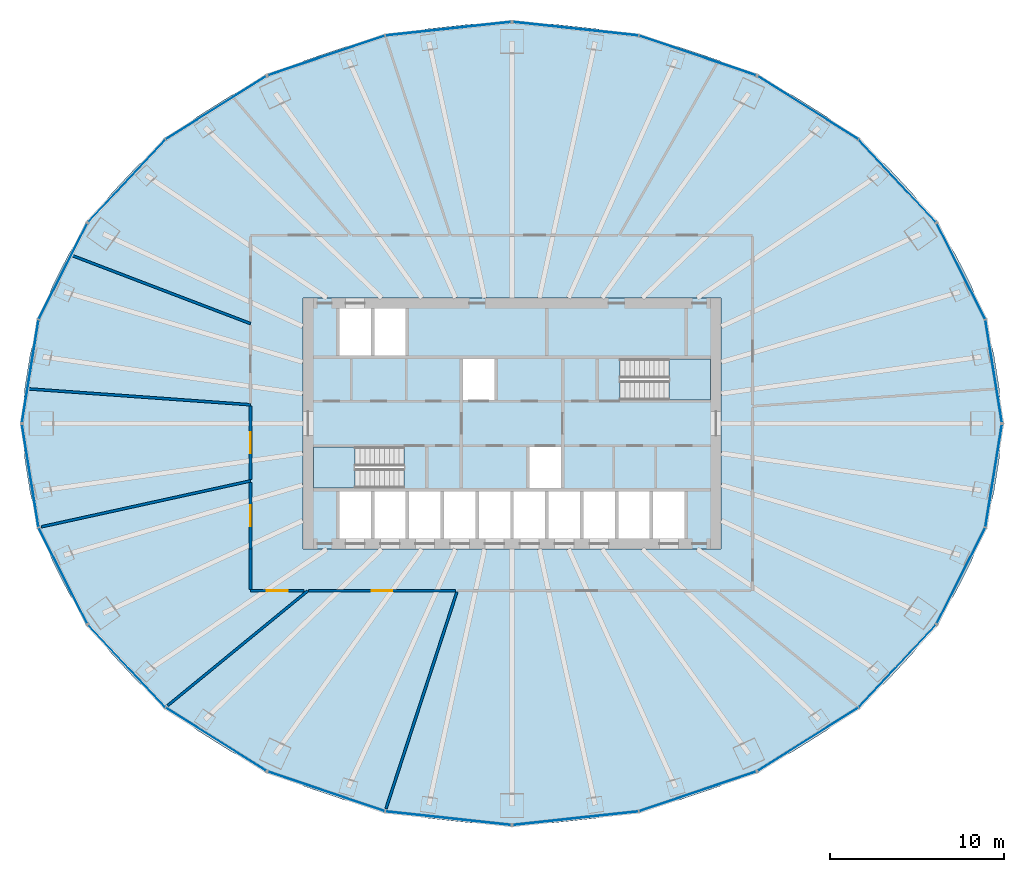
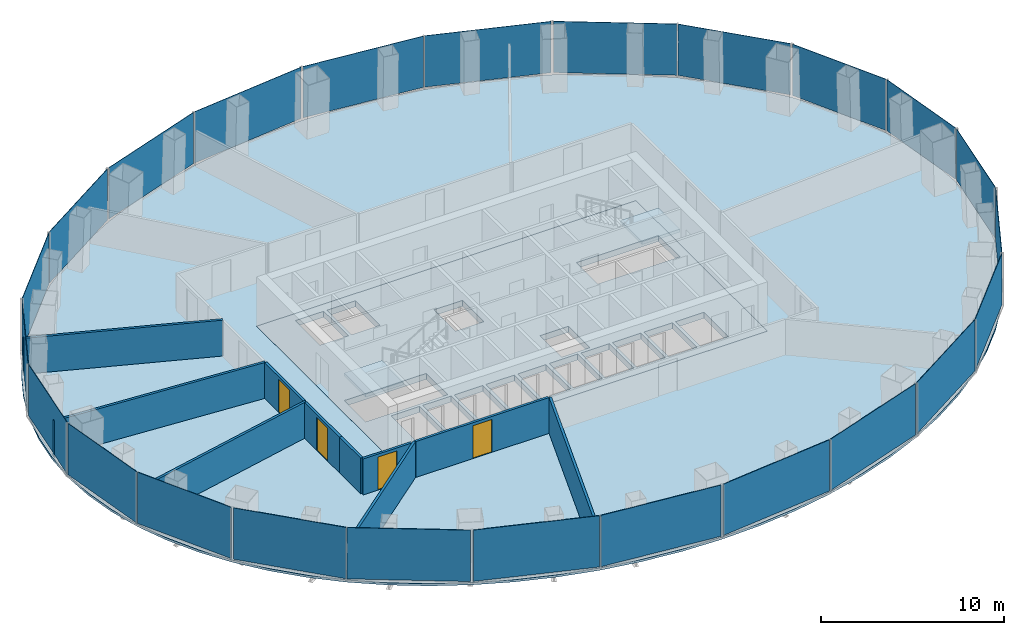
# One storey, part 7 of 11: 24 plates, 10 walls, 4 doors, 4 slabs, 4 openings, 14 elements without a shape of their own.
"""IFC4 building model written with IfcOpenShell, lengths in metres."""

from ifc_helpers import new_model, si_unit, direction, frame, frame_2d, origin, origin_2d, place, context, subcontext, project, spatial, polyline, rectangle, outline, extrude, material, layer, layer_set, type_object, element, fill, aggregate, save


model = new_model("IFC4")

# Units and contexts
model_context = context("Model", 3, precision=1e-05, world=origin(), true_north=direction((0.0, 1.0)))
body_context = subcontext(model_context, "Body", "Model", "MODEL_VIEW")
ifc_project = project(units=[si_unit("LENGTHUNIT", "METRE"), si_unit("AREAUNIT", "SQUARE_METRE"), si_unit("VOLUMEUNIT", "CUBIC_METRE"), si_unit("PLANEANGLEUNIT", "RADIAN"), si_unit("MASSUNIT", "GRAM", prefix="KILO")], contexts=[model_context])

# Site, building, storey
site_placement = place(None, origin())
site = spatial("IfcSite", under=ifc_project, at=site_placement, CompositionType="ELEMENT")
building_placement = place(site_placement, origin())
building = spatial("IfcBuilding", under=site, at=building_placement, Name="Siaravel Broadcast Tower", CompositionType="ELEMENT")
storey_placement = place(building_placement, frame((0.0, 0.0, 40.800048828125)))
storey = spatial("IfcBuildingStorey", under=building, at=storey_placement, Name="L08", CompositionType="ELEMENT", Elevation=40.800048828125)

# Curtain wall, plates
ifc_material_1 = material(Name="Aluminium 6063-T6", Category="aluminium")
ifc_layer_1 = layer(ifc_material_1, 0.219970703125)
ifc_layer_set_1 = layer_set([ifc_layer_1], Name="Aluminium 6063-T6")
curtain_wall_type = type_object("IfcCurtainWallType", Name="Unitised curtain wall, zone 1", PredefinedType="NOTDEFINED", material=ifc_layer_set_1)
curtain_wall_1_placement = place(storey_placement, origin())
curtain_wall_1 = element("IfcCurtainWall", 1, at=curtain_wall_1_placement, inside=storey, type_object=curtain_wall_type, Name="L08 Unitised curtain wall, zone 1 01", PredefinedType="NOTDEFINED")
ifc_material_2 = material(Name="Tinted laminated glass", Category="glass")
ifc_layer_2 = layer(ifc_material_2, 0.031982421875)
ifc_layer_set_2 = layer_set([ifc_layer_2], Name="Tinted laminated glass")
plate_type = type_object("IfcPlateType", Name="CW-Z1 glass panel", PredefinedType="CURTAIN_PANEL", material=ifc_layer_set_2)
plate_1_placement = place(storey_placement, frame((27.6337890625, 3.0, 0.1201171875), z_axis=(0.0, 0.0, 1.0), x_axis=(-0.158685802, 0.987329133, 0.0)))
plate_1 = element("IfcPlate", 2, at=plate_1_placement, type_object=plate_type, Name="CW-Z1 glass panel", PredefinedType="CURTAIN_PANEL", context=body_context, shape_type="SweptSolid", body=[
    extrude(rectangle(XDim=5.937255859375, YDim=0.031982421875, at=origin_2d()), origin(), (0.0, 0.0, 1.0), 3.429931640625),
])
plate_2_placement = place(storey_placement, frame((25.760009765625, 8.72900390625, 0.1201171875), z_axis=(0.0, 0.0, 1.0), x_axis=(-0.451261399, 0.892391814, 0.0)))
plate_2 = element("IfcPlate", 3, at=plate_2_placement, type_object=plate_type, Name="CW-Z1 glass panel", PredefinedType="CURTAIN_PANEL", context=body_context, shape_type="SweptSolid", body=[
    extrude(rectangle(XDim=6.123046875, YDim=0.031982421875, at=origin_2d()), origin(), (0.0, 0.0, 1.0), 3.429931640625),
])
aggregate(curtain_wall_1, [plate_1, plate_2])

curtain_wall_2_placement = place(storey_placement, origin())
curtain_wall_2 = element("IfcCurtainWall", 4, at=curtain_wall_2_placement, inside=storey, type_object=curtain_wall_type, Name="L08 Unitised curtain wall, zone 1 02", PredefinedType="NOTDEFINED")
plate_3_placement = place(storey_placement, frame((22.10009765625, 13.921875, 0.1201171875), z_axis=(0.0, 0.0, 1.0), x_axis=(-0.683655426, 0.729804946, 0.0)))
plate_3 = element("IfcPlate", 5, at=plate_3_placement, type_object=plate_type, Name="CW-Z1 glass panel", PredefinedType="CURTAIN_PANEL", context=body_context, shape_type="SweptSolid", body=[
    extrude(rectangle(XDim=6.4326171875, YDim=0.031982421875, at=origin_2d()), origin(), (0.0, 0.0, 1.0), 3.429931640625),
])
plate_4_placement = place(storey_placement, frame((16.980712890625, 18.115234375, 0.1201171875), z_axis=(0.0, 0.0, 1.0), x_axis=(-0.846650657, 0.532149101, 0.0)))
plate_4 = element("IfcPlate", 6, at=plate_4_placement, type_object=plate_type, Name="CW-Z1 glass panel", PredefinedType="CURTAIN_PANEL", context=body_context, shape_type="SweptSolid", body=[
    extrude(rectangle(XDim=6.772705078125, YDim=0.031982421875, at=origin_2d()), origin(), (0.0, 0.0, 1.0), 3.429931640625),
])
aggregate(curtain_wall_2, [plate_3, plate_4])

curtain_wall_3_placement = place(storey_placement, origin())
curtain_wall_3 = element("IfcCurtainWall", 7, at=curtain_wall_3_placement, inside=storey, type_object=curtain_wall_type, Name="L08 Unitised curtain wall, zone 1 03", PredefinedType="NOTDEFINED")
plate_5_placement = place(storey_placement, frame((10.64794921875, 21.1103515625, 0.1201171875), z_axis=(0.0, 0.0, 1.0), x_axis=(-0.946977246, 0.321300632, 0.0)))
plate_5 = element("IfcPlate", 8, at=plate_5_placement, type_object=plate_type, Name="CW-Z1 glass panel", PredefinedType="CURTAIN_PANEL", context=body_context, shape_type="SweptSolid", body=[
    extrude(rectangle(XDim=7.05419921875, YDim=0.031982421875, at=origin_2d()), origin(), (0.0, 0.0, 1.0), 3.429931640625),
])
plate_6_placement = place(storey_placement, frame((3.65478515625, 22.645263671875, 0.1201171875), z_axis=(0.0, 0.0, 1.0), x_axis=(-0.994235589, 0.107217509, 0.0)))
plate_6 = element("IfcPlate", 9, at=plate_6_placement, type_object=plate_type, Name="CW-Z1 glass panel", PredefinedType="CURTAIN_PANEL", context=body_context, shape_type="SweptSolid", body=[
    extrude(rectangle(XDim=7.2119140625, YDim=0.031982421875, at=origin_2d()), origin(), (0.0, 0.0, 1.0), 3.429931640625),
])
aggregate(curtain_wall_3, [plate_5, plate_6])

curtain_wall_4_placement = place(storey_placement, origin())
curtain_wall_4 = element("IfcCurtainWall", 10, at=curtain_wall_4_placement, inside=storey, type_object=curtain_wall_type, Name="L08 Unitised curtain wall, zone 1 04", PredefinedType="NOTDEFINED")
plate_7_placement = place(storey_placement, frame((-3.65478515625, 22.645263671875, 0.1201171875), z_axis=(0.0, 0.0, 1.0), x_axis=(-0.994235589, -0.107217509, 0.0)))
plate_7 = element("IfcPlate", 11, at=plate_7_placement, type_object=plate_type, Name="CW-Z1 glass panel", PredefinedType="CURTAIN_PANEL", context=body_context, shape_type="SweptSolid", body=[
    extrude(rectangle(XDim=7.2119140625, YDim=0.031982421875, at=origin_2d()), origin(), (0.0, 0.0, 1.0), 3.429931640625),
])
plate_8_placement = place(storey_placement, frame((-10.64794921875, 21.1103515625, 0.1201171875), z_axis=(0.0, 0.0, 1.0), x_axis=(-0.946977246, -0.321300632, 0.0)))
plate_8 = element("IfcPlate", 12, at=plate_8_placement, type_object=plate_type, Name="CW-Z1 glass panel", PredefinedType="CURTAIN_PANEL", context=body_context, shape_type="SweptSolid", body=[
    extrude(rectangle(XDim=7.05419921875, YDim=0.031982421875, at=origin_2d()), origin(), (0.0, 0.0, 1.0), 3.429931640625),
])
aggregate(curtain_wall_4, [plate_7, plate_8])

curtain_wall_5_placement = place(storey_placement, origin())
curtain_wall_5 = element("IfcCurtainWall", 13, at=curtain_wall_5_placement, inside=storey, type_object=curtain_wall_type, Name="L08 Unitised curtain wall, zone 1 05", PredefinedType="NOTDEFINED")
plate_9_placement = place(storey_placement, frame((-16.980712890625, 18.115234375, 0.1201171875), z_axis=(0.0, 0.0, 1.0), x_axis=(-0.846650657, -0.532149101, 0.0)))
plate_9 = element("IfcPlate", 14, at=plate_9_placement, type_object=plate_type, Name="CW-Z1 glass panel", PredefinedType="CURTAIN_PANEL", context=body_context, shape_type="SweptSolid", body=[
    extrude(rectangle(XDim=6.772705078125, YDim=0.031982421875, at=origin_2d()), origin(), (0.0, 0.0, 1.0), 3.429931640625),
])
plate_10_placement = place(storey_placement, frame((-22.10009765625, 13.921875, 0.1201171875), z_axis=(0.0, 0.0, 1.0), x_axis=(-0.683655426, -0.729804946, 0.0)))
plate_10 = element("IfcPlate", 15, at=plate_10_placement, type_object=plate_type, Name="CW-Z1 glass panel", PredefinedType="CURTAIN_PANEL", context=body_context, shape_type="SweptSolid", body=[
    extrude(rectangle(XDim=6.4326171875, YDim=0.031982421875, at=origin_2d()), origin(), (0.0, 0.0, 1.0), 3.429931640625),
])
aggregate(curtain_wall_5, [plate_9, plate_10])

curtain_wall_6_placement = place(storey_placement, origin())
curtain_wall_6 = element("IfcCurtainWall", 16, at=curtain_wall_6_placement, inside=storey, type_object=curtain_wall_type, Name="L08 Unitised curtain wall, zone 1 06", PredefinedType="NOTDEFINED")
plate_11_placement = place(storey_placement, frame((-25.760009765625, 8.72900390625, 0.1201171875), z_axis=(0.0, 0.0, 1.0), x_axis=(-0.451261399, -0.892391814, 0.0)))
plate_11 = element("IfcPlate", 17, at=plate_11_placement, type_object=plate_type, Name="CW-Z1 glass panel", PredefinedType="CURTAIN_PANEL", context=body_context, shape_type="SweptSolid", body=[
    extrude(rectangle(XDim=6.123046875, YDim=0.031982421875, at=origin_2d()), origin(), (0.0, 0.0, 1.0), 3.429931640625),
])
plate_12_placement = place(storey_placement, frame((-27.6337890625, 3.0, 0.1201171875), z_axis=(0.0, 0.0, 1.0), x_axis=(-0.158685802, -0.987329133, 0.0)))
plate_12 = element("IfcPlate", 18, at=plate_12_placement, type_object=plate_type, Name="CW-Z1 glass panel", PredefinedType="CURTAIN_PANEL", context=body_context, shape_type="SweptSolid", body=[
    extrude(rectangle(XDim=5.937255859375, YDim=0.031982421875, at=origin_2d()), origin(), (0.0, 0.0, 1.0), 3.429931640625),
])
aggregate(curtain_wall_6, [plate_11, plate_12])

curtain_wall_7_placement = place(storey_placement, origin())
curtain_wall_7 = element("IfcCurtainWall", 19, at=curtain_wall_7_placement, inside=storey, type_object=curtain_wall_type, Name="L08 Unitised curtain wall, zone 1 07", PredefinedType="NOTDEFINED")
plate_13_placement = place(storey_placement, frame((-27.6337890625, -3.0, 0.1201171875), z_axis=(0.0, 0.0, 1.0), x_axis=(0.158685802, -0.987329133, 0.0)))
plate_13 = element("IfcPlate", 20, at=plate_13_placement, type_object=plate_type, Name="CW-Z1 glass panel", PredefinedType="CURTAIN_PANEL", context=body_context, shape_type="SweptSolid", body=[
    extrude(rectangle(XDim=5.937255859375, YDim=0.031982421875, at=origin_2d()), origin(), (0.0, 0.0, 1.0), 3.429931640625),
])
plate_14_placement = place(storey_placement, frame((-25.760009765625, -8.72900390625, 0.1201171875), z_axis=(0.0, 0.0, 1.0), x_axis=(0.451261399, -0.892391814, 0.0)))
plate_14 = element("IfcPlate", 21, at=plate_14_placement, type_object=plate_type, Name="CW-Z1 glass panel", PredefinedType="CURTAIN_PANEL", context=body_context, shape_type="SweptSolid", body=[
    extrude(rectangle(XDim=6.123046875, YDim=0.031982421875, at=origin_2d()), origin(), (0.0, 0.0, 1.0), 3.429931640625),
])
aggregate(curtain_wall_7, [plate_13, plate_14])

curtain_wall_8_placement = place(storey_placement, origin())
curtain_wall_8 = element("IfcCurtainWall", 22, at=curtain_wall_8_placement, inside=storey, type_object=curtain_wall_type, Name="L08 Unitised curtain wall, zone 1 08", PredefinedType="NOTDEFINED")
plate_15_placement = place(storey_placement, frame((-22.10009765625, -13.921875, 0.1201171875), z_axis=(0.0, 0.0, 1.0), x_axis=(0.683655426, -0.729804946, 0.0)))
plate_15 = element("IfcPlate", 23, at=plate_15_placement, type_object=plate_type, Name="CW-Z1 glass panel", PredefinedType="CURTAIN_PANEL", context=body_context, shape_type="SweptSolid", body=[
    extrude(rectangle(XDim=6.4326171875, YDim=0.031982421875, at=origin_2d()), origin(), (0.0, 0.0, 1.0), 3.429931640625),
])
plate_16_placement = place(storey_placement, frame((-16.980712890625, -18.115234375, 0.1201171875), z_axis=(0.0, 0.0, 1.0), x_axis=(0.846650657, -0.532149101, 0.0)))
plate_16 = element("IfcPlate", 24, at=plate_16_placement, type_object=plate_type, Name="CW-Z1 glass panel", PredefinedType="CURTAIN_PANEL", context=body_context, shape_type="SweptSolid", body=[
    extrude(rectangle(XDim=6.772705078125, YDim=0.031982421875, at=origin_2d()), origin(), (0.0, 0.0, 1.0), 3.429931640625),
])
aggregate(curtain_wall_8, [plate_15, plate_16])

curtain_wall_9_placement = place(storey_placement, origin())
curtain_wall_9 = element("IfcCurtainWall", 25, at=curtain_wall_9_placement, inside=storey, type_object=curtain_wall_type, Name="L08 Unitised curtain wall, zone 1 09", PredefinedType="NOTDEFINED")
plate_17_placement = place(storey_placement, frame((-10.64794921875, -21.1103515625, 0.1201171875), z_axis=(0.0, 0.0, 1.0), x_axis=(0.946977246, -0.321300632, 0.0)))
plate_17 = element("IfcPlate", 26, at=plate_17_placement, type_object=plate_type, Name="CW-Z1 glass panel", PredefinedType="CURTAIN_PANEL", context=body_context, shape_type="SweptSolid", body=[
    extrude(rectangle(XDim=7.05419921875, YDim=0.031982421875, at=origin_2d()), origin(), (0.0, 0.0, 1.0), 3.429931640625),
])
plate_18_placement = place(storey_placement, frame((-3.65478515625, -22.645263671875, 0.1201171875), z_axis=(0.0, 0.0, 1.0), x_axis=(0.994235589, -0.107217509, 0.0)))
plate_18 = element("IfcPlate", 27, at=plate_18_placement, type_object=plate_type, Name="CW-Z1 glass panel", PredefinedType="CURTAIN_PANEL", context=body_context, shape_type="SweptSolid", body=[
    extrude(rectangle(XDim=7.2119140625, YDim=0.031982421875, at=origin_2d()), origin(), (0.0, 0.0, 1.0), 3.429931640625),
])
aggregate(curtain_wall_9, [plate_17, plate_18])

curtain_wall_10_placement = place(storey_placement, origin())
curtain_wall_10 = element("IfcCurtainWall", 28, at=curtain_wall_10_placement, inside=storey, type_object=curtain_wall_type, Name="L08 Unitised curtain wall, zone 1 10", PredefinedType="NOTDEFINED")
plate_19_placement = place(storey_placement, frame((3.65478515625, -22.645263671875, 0.1201171875), z_axis=(0.0, 0.0, 1.0), x_axis=(0.994235589, 0.107217509, 0.0)))
plate_19 = element("IfcPlate", 29, at=plate_19_placement, type_object=plate_type, Name="CW-Z1 glass panel", PredefinedType="CURTAIN_PANEL", context=body_context, shape_type="SweptSolid", body=[
    extrude(rectangle(XDim=7.2119140625, YDim=0.031982421875, at=origin_2d()), origin(), (0.0, 0.0, 1.0), 3.429931640625),
])
plate_20_placement = place(storey_placement, frame((10.64794921875, -21.1103515625, 0.1201171875), z_axis=(0.0, 0.0, 1.0), x_axis=(0.946977246, 0.321300632, 0.0)))
plate_20 = element("IfcPlate", 30, at=plate_20_placement, type_object=plate_type, Name="CW-Z1 glass panel", PredefinedType="CURTAIN_PANEL", context=body_context, shape_type="SweptSolid", body=[
    extrude(rectangle(XDim=7.05419921875, YDim=0.031982421875, at=origin_2d()), origin(), (0.0, 0.0, 1.0), 3.429931640625),
])
aggregate(curtain_wall_10, [plate_19, plate_20])

curtain_wall_11_placement = place(storey_placement, origin())
curtain_wall_11 = element("IfcCurtainWall", 31, at=curtain_wall_11_placement, inside=storey, type_object=curtain_wall_type, Name="L08 Unitised curtain wall, zone 1 11", PredefinedType="NOTDEFINED")
plate_21_placement = place(storey_placement, frame((16.980712890625, -18.115234375, 0.1201171875), z_axis=(0.0, 0.0, 1.0), x_axis=(0.846650657, 0.532149101, 0.0)))
plate_21 = element("IfcPlate", 32, at=plate_21_placement, type_object=plate_type, Name="CW-Z1 glass panel", PredefinedType="CURTAIN_PANEL", context=body_context, shape_type="SweptSolid", body=[
    extrude(rectangle(XDim=6.772705078125, YDim=0.031982421875, at=origin_2d()), origin(), (0.0, 0.0, 1.0), 3.429931640625),
])
plate_22_placement = place(storey_placement, frame((22.10009765625, -13.921875, 0.1201171875), z_axis=(0.0, 0.0, 1.0), x_axis=(0.683655426, 0.729804946, 0.0)))
plate_22 = element("IfcPlate", 33, at=plate_22_placement, type_object=plate_type, Name="CW-Z1 glass panel", PredefinedType="CURTAIN_PANEL", context=body_context, shape_type="SweptSolid", body=[
    extrude(rectangle(XDim=6.4326171875, YDim=0.031982421875, at=origin_2d()), origin(), (0.0, 0.0, 1.0), 3.429931640625),
])
aggregate(curtain_wall_11, [plate_21, plate_22])

curtain_wall_12_placement = place(storey_placement, origin())
curtain_wall_12 = element("IfcCurtainWall", 34, at=curtain_wall_12_placement, inside=storey, type_object=curtain_wall_type, Name="L08 Unitised curtain wall, zone 1 12", PredefinedType="NOTDEFINED")
plate_23_placement = place(storey_placement, frame((25.760009765625, -8.72900390625, 0.1201171875), z_axis=(0.0, 0.0, 1.0), x_axis=(0.451261399, 0.892391814, 0.0)))
plate_23 = element("IfcPlate", 35, at=plate_23_placement, type_object=plate_type, Name="CW-Z1 glass panel", PredefinedType="CURTAIN_PANEL", context=body_context, shape_type="SweptSolid", body=[
    extrude(rectangle(XDim=6.123046875, YDim=0.031982421875, at=origin_2d()), origin(), (0.0, 0.0, 1.0), 3.429931640625),
])
plate_24_placement = place(storey_placement, frame((27.6337890625, -3.0, 0.1201171875), z_axis=(0.0, 0.0, 1.0), x_axis=(0.158685802, 0.987329133, 0.0)))
plate_24 = element("IfcPlate", 36, at=plate_24_placement, type_object=plate_type, Name="CW-Z1 glass panel", PredefinedType="CURTAIN_PANEL", context=body_context, shape_type="SweptSolid", body=[
    extrude(rectangle(XDim=5.937255859375, YDim=0.031982421875, at=origin_2d()), origin(), (0.0, 0.0, 1.0), 3.429931640625),
])
aggregate(curtain_wall_12, [plate_23, plate_24])

# Slabs
ifc_material_3 = material(Name="Concrete C40/50", Category="concrete")
ifc_layer_3 = layer(ifc_material_3, 0.39990234375)
ifc_layer_set_3 = layer_set([ifc_layer_3], Name="Concrete C40/50")
slab_type_1 = type_object("IfcSlabType", Name="Core floor slab 400", PredefinedType="FLOOR", material=ifc_layer_set_3)
slab_1_placement = place(storey_placement, frame((0.0, 0.0, -0.400146484375)))
element("IfcSlab", 37, at=slab_1_placement, inside=storey, type_object=slab_type_1, Name="L08 core floor", PredefinedType="FLOOR", context=body_context, shape_type="SweptSolid", body=[
    extrude(outline(polyline([(-12.0, -7.199951171875), (-12.0, 7.199951171875), (12.0, 7.199951171875), (12.0, -7.199951171875), (-12.0, -7.199951171875)]), holes=[polyline([(11.3994140625, 1.3505859375), (11.3994140625, 3.699462890625), (6.200439453125, 3.699462890625), (6.200439453125, 1.3505859375), (11.3994140625, 1.3505859375)]), polyline([(9.89990234375, -3.89990234375), (8.10009765625, -3.89990234375), (8.10009765625, -6.60009765625), (9.89990234375, -6.60009765625), (9.89990234375, -3.89990234375)]), polyline([(7.89990234375, -3.89990234375), (6.10009765625, -3.89990234375), (6.10009765625, -6.60009765625), (7.89990234375, -6.60009765625), (7.89990234375, -3.89990234375)]), polyline([(5.89990234375, -3.89990234375), (4.10009765625, -3.89990234375), (4.10009765625, -6.60009765625), (5.89990234375, -6.60009765625), (5.89990234375, -3.89990234375)]), polyline([(3.89990234375, -3.89990234375), (2.10009765625, -3.89990234375), (2.10009765625, -6.60009765625), (3.89990234375, -6.60009765625), (3.89990234375, -3.89990234375)]), polyline([(2.800048828125, -1.35009765625), (1.0, -1.35009765625), (1.0, -3.699951171875), (2.800048828125, -3.699951171875), (2.800048828125, -1.35009765625)]), polyline([(1.89990234375, -3.89990234375), (0.10009765625, -3.89990234375), (0.10009765625, -6.60009765625), (1.89990234375, -6.60009765625), (1.89990234375, -3.89990234375)]), polyline([(-0.10009765625, -3.89990234375), (-1.89990234375, -3.89990234375), (-1.89990234375, -6.60009765625), (-0.10009765625, -6.60009765625), (-0.10009765625, -3.89990234375)]), polyline([(-1.0, 3.699951171875), (-2.800048828125, 3.699951171875), (-2.800048828125, 1.35009765625), (-1.0, 1.35009765625), (-1.0, 3.699951171875)]), polyline([(-2.10009765625, -3.89990234375), (-3.89990234375, -3.89990234375), (-3.89990234375, -6.60009765625), (-2.10009765625, -6.60009765625), (-2.10009765625, -3.89990234375)]), polyline([(-4.10009765625, -3.89990234375), (-5.89990234375, -3.89990234375), (-5.89990234375, -6.60009765625), (-4.10009765625, -6.60009765625), (-4.10009765625, -3.89990234375)]), polyline([(-6.10009765625, -3.89990234375), (-7.89990234375, -3.89990234375), (-7.89990234375, -6.60009765625), (-6.10009765625, -6.60009765625), (-6.10009765625, -3.89990234375)]), polyline([(-6.10009765625, 6.60009765625), (-7.89990234375, 6.60009765625), (-7.89990234375, 3.89990234375), (-6.10009765625, 3.89990234375), (-6.10009765625, 6.60009765625)]), polyline([(-11.3994140625, -1.3505859375), (-11.3994140625, -3.699462890625), (-6.200439453125, -3.699462890625), (-6.200439453125, -1.3505859375), (-11.3994140625, -1.3505859375)]), polyline([(-8.10009765625, -3.89990234375), (-9.89990234375, -3.89990234375), (-9.89990234375, -6.60009765625), (-8.10009765625, -6.60009765625), (-8.10009765625, -3.89990234375)]), polyline([(-8.10009765625, 6.60009765625), (-9.89990234375, 6.60009765625), (-9.89990234375, 3.89990234375), (-8.10009765625, 3.89990234375), (-8.10009765625, 6.60009765625)])]), origin(), (0.0, 0.0, 1.0), 0.400146484375),
])
ifc_layer_4 = layer(ifc_material_3, 0.14990234375)
ifc_layer_set_4 = layer_set([ifc_layer_4], Name="Concrete C40/50")
slab_type_2 = type_object("IfcSlabType", Name="SLB-FLOOR-150", PredefinedType="FLOOR", material=ifc_layer_set_4)
slab_2_placement = place(storey_placement, frame((0.0, 0.0, -0.150146484375)))
element("IfcSlab", 38, at=slab_2_placement, inside=storey, type_object=slab_type_2, Name="Floor slab", PredefinedType="FLOOR", context=body_context, shape_type="SweptSolid", body=[
    extrude(outline(polyline([(28.066162109375, 0.0), (27.959228515625, 2.003662109375), (27.6396484375, 3.9921875), (27.10986328125, 5.9501953125), (26.37353515625, 7.86279296875), (25.4365234375, 9.7158203125), (24.305908203125, 11.49462890625), (22.990478515625, 13.18603515625), (21.5, 14.777099609375), (19.845703125, 16.255859375), (18.04052734375, 17.61083984375), (16.09814453125, 18.831787109375), (14.033203125, 19.9091796875), (11.861083984375, 20.83544921875), (9.59912109375, 21.602783203125), (7.263916015625, 22.2060546875), (4.87353515625, 22.639892578125), (2.446044921875, 22.90185546875), (0.0, 22.9892578125), (-2.446044921875, 22.90185546875), (-4.87353515625, 22.639892578125), (-7.263916015625, 22.2060546875), (-9.59912109375, 21.602783203125), (-11.861083984375, 20.83544921875), (-14.032958984375, 19.9091796875), (-16.09814453125, 18.831787109375), (-18.04052734375, 17.61083984375), (-19.845703125, 16.255859375), (-21.5, 14.777099609375), (-22.990478515625, 13.18603515625), (-24.305908203125, 11.49462890625), (-25.4365234375, 9.7158203125), (-26.37353515625, 7.86279296875), (-27.10986328125, 5.9501953125), (-27.6396484375, 3.9921875), (-27.959228515625, 2.003662109375), (-28.066162109375, 0.0), (-27.959228515625, -2.003662109375), (-27.6396484375, -3.9921875), (-27.10986328125, -5.9501953125), (-26.37353515625, -7.86279296875), (-25.4365234375, -9.7158203125), (-24.305908203125, -11.49462890625), (-22.990478515625, -13.18603515625), (-21.5, -14.777099609375), (-19.845703125, -16.255859375), (-18.04052734375, -17.61083984375), (-16.09814453125, -18.831787109375), (-14.033203125, -19.9091796875), (-11.861083984375, -20.83544921875), (-9.59912109375, -21.602783203125), (-7.263916015625, -22.2060546875), (-4.87353515625, -22.639892578125), (-2.446044921875, -22.90185546875), (0.0, -22.9892578125), (2.446044921875, -22.90185546875), (4.87353515625, -22.639892578125), (7.263916015625, -22.2060546875), (9.59912109375, -21.602783203125), (11.861083984375, -20.83544921875), (14.033203125, -19.9091796875), (16.09814453125, -18.831787109375), (18.04052734375, -17.61083984375), (19.845703125, -16.255859375), (21.5, -14.777099609375), (22.990478515625, -13.18603515625), (24.305908203125, -11.49462890625), (25.4365234375, -9.7158203125), (26.37353515625, -7.86279296875), (27.10986328125, -5.9501953125), (27.6396484375, -3.9921875), (27.959228515625, -2.003662109375), (28.066162109375, 0.0)]), holes=[polyline([(-12.0, 7.199951171875), (12.0, 7.199951171875), (12.0, -7.199951171875), (-12.0, -7.199951171875), (-12.0, 7.199951171875)])]), origin(), (0.0, 0.0, 1.0), 0.150146484375),
])

# Stair, slab
stair_type = type_object("IfcStairType", Name="Core exit stair", PredefinedType="HALF_TURN_STAIR", material=ifc_material_3)
stair_1_placement = place(storey_placement, origin())
stair_1 = element("IfcStair", 39, at=stair_1_placement, inside=storey, type_object=stair_type, Name="L08 Exit stair ST-1", PredefinedType="HALF_TURN_STAIR")
ifc_layer_5 = layer(ifc_material_3, 0.199951171875)
ifc_layer_set_5 = layer_set([ifc_layer_5], Name="Concrete C40/50")
slab_type_3 = type_object("IfcSlabType", Name="Stair landing", PredefinedType="LANDING", material=ifc_layer_set_5)
slab_3_placement = place(storey_placement, frame((0.0, 0.0, 1.64990234375)))
slab_3 = element("IfcSlab", 40, at=slab_3_placement, type_object=slab_type_3, Name="ST-1 landing 1", PredefinedType="LANDING", context=body_context, shape_type="SweptSolid", body=[
    extrude(outline(polyline([(-9.0, -1.35009765625), (-11.39990234375, -1.35009765625), (-11.39990234375, -3.699951171875), (-9.0, -3.699951171875), (-9.0, -1.35009765625)])), origin(), (0.0, 0.0, 1.0), 0.199951171875),
])
aggregate(stair_1, [slab_3])

stair_2_placement = place(storey_placement, origin())
stair_2 = element("IfcStair", 41, at=stair_2_placement, inside=storey, type_object=stair_type, Name="L08 Exit stair ST-2", PredefinedType="HALF_TURN_STAIR")
slab_4_placement = place(storey_placement, frame((0.0, 0.0, 1.64990234375)))
slab_4 = element("IfcSlab", 42, at=slab_4_placement, type_object=slab_type_3, Name="ST-2 landing 1", PredefinedType="LANDING", context=body_context, shape_type="SweptSolid", body=[
    extrude(outline(polyline([(9.0, 1.35009765625), (11.39990234375, 1.35009765625), (11.39990234375, 3.699951171875), (9.0, 3.699951171875), (9.0, 1.35009765625)])), origin(), (0.0, 0.0, 1.0), 0.199951171875),
])
aggregate(stair_2, [slab_4])

# Wall, opening, door
ifc_material_4 = material(Name="Gypsum board partition", Category="gypsum")
ifc_layer_6 = layer(ifc_material_4, 0.14990234375)
ifc_layer_set_6 = layer_set([ifc_layer_6], Name="Gypsum board partition")
wall_type_1 = type_object("IfcWallType", Name="Corridor wall 150", PredefinedType="PARTITIONING", material=ifc_layer_set_6)
wall_1_placement = place(storey_placement, frame((-11.67041015625, -9.60009765625, 0.0), z_axis=(0.0, 0.0, 1.0), x_axis=(1.0, 0.0, 0.0)))
wall_1 = element("IfcWall", 43, at=wall_1_placement, inside=storey, type_object=wall_type_1, Name="L08 partition 13", PredefinedType="PARTITIONING", context=body_context, shape_type="SweptSolid", body=[
    extrude(rectangle(XDim=8.424560546875, YDim=0.14990234375, at=frame_2d((4.21240234375, 0.0))), origin(), (0.0, 0.0, 1.0), 2.39990234375),
])
opening_1_placement = place(wall_1_placement, frame((3.6123046875, 0.0, 0.0)))
opening_1 = element("IfcOpeningElement", 44, at=opening_1_placement, cuts=wall_1, Name="Opening L08-013", PredefinedType="OPENING", context=body_context, shape_type="SweptSolid", body=[
    extrude(rectangle(XDim=1.199951171875, YDim=2.199951171875, at=frame_2d((0.60009765625, 1.10009765625))), frame((0.0, 0.0849609375, 0.0), z_axis=(0.0, -1.0, 0.0), x_axis=(1.0, 0.0, 0.0)), (0.0, 0.0, 1.0), 0.169921875),
])
ifc_material_5 = material(Name="Timber veneer", Category="wood")
door_type = type_object("IfcDoorType", Name="Office double door 1200", OperationType="DOUBLE_DOOR_SINGLE_SWING", PredefinedType="DOOR", material=ifc_material_5)
door_1_placement = place(opening_1_placement, origin())
door_1 = element("IfcDoor", 45, at=door_1_placement, inside=storey, type_object=door_type, Name="L08 door to Open plan newsroom", OperationType="DOUBLE_DOOR_SINGLE_SWING", OverallHeight=2.199951171875, OverallWidth=1.199951171875, PredefinedType="DOOR", context=body_context, shape_type="SweptSolid", body=[
    extrude(rectangle(XDim=1.199951171875, YDim=2.199951171875, at=frame_2d((0.60009765625, 1.10009765625))), frame((0.0, 0.02490234375, 0.0), z_axis=(0.0, -1.0, 0.0), x_axis=(1.0, 0.0, 0.0)), (0.0, 0.0, 1.0), 0.050048828125),
])
fill(opening_1, door_1)

wall_2_placement = place(storey_placement, frame((-15.0, 0.998046875, 0.0), z_axis=(0.0, 0.0, 1.0), x_axis=(0.0, -1.0, 0.0)))
wall_2 = element("IfcWall", 46, at=wall_2_placement, inside=storey, type_object=wall_type_1, Name="L08 partition 20", PredefinedType="PARTITIONING", context=body_context, shape_type="SweptSolid", body=[
    extrude(rectangle(XDim=4.215087890625, YDim=0.14990234375, at=frame_2d((2.107421875, 0.0))), origin(), (0.0, 0.0, 1.0), 2.39990234375),
])
opening_2_placement = place(wall_2_placement, frame((1.507568359375, 0.0, 0.0)))
opening_2 = element("IfcOpeningElement", 47, at=opening_2_placement, cuts=wall_2, Name="Opening L08-010", PredefinedType="OPENING", context=body_context, shape_type="SweptSolid", body=[
    extrude(rectangle(XDim=1.199951171875, YDim=2.199951171875, at=frame_2d((0.60009765625, 1.10009765625))), frame((0.0, 0.0849609375, 0.0), z_axis=(0.0, -1.0, 0.0), x_axis=(1.0, 0.0, 0.0)), (0.0, 0.0, 1.0), 0.169921875),
])
door_2_placement = place(opening_2_placement, origin())
door_2 = element("IfcDoor", 48, at=door_2_placement, inside=storey, type_object=door_type, Name="L08 door to Newsroom desk office", OperationType="DOUBLE_DOOR_SINGLE_SWING", OverallHeight=2.199951171875, OverallWidth=1.199951171875, PredefinedType="DOOR", context=body_context, shape_type="SweptSolid", body=[
    extrude(rectangle(XDim=1.199951171875, YDim=2.199951171875, at=frame_2d((0.60009765625, 1.10009765625))), frame((0.0, 0.02490234375, 0.0), z_axis=(0.0, -1.0, 0.0), x_axis=(1.0, 0.0, 0.0)), (0.0, 0.0, 1.0), 0.050048828125),
])
fill(opening_2, door_2)

wall_3_placement = place(storey_placement, frame((-15.0, -3.387451171875, 0.0), z_axis=(0.0, 0.0, 1.0), x_axis=(0.0, -1.0, 0.0)))
wall_3 = element("IfcWall", 49, at=wall_3_placement, inside=storey, type_object=wall_type_1, Name="L08 partition 21", PredefinedType="PARTITIONING", context=body_context, shape_type="SweptSolid", body=[
    extrude(rectangle(XDim=3.824462890625, YDim=0.14990234375, at=frame_2d((1.912109375, 0.0))), origin(), (0.0, 0.0, 1.0), 2.39990234375),
])
opening_3_placement = place(wall_3_placement, frame((1.312255859375, 0.0, 0.0)))
opening_3 = element("IfcOpeningElement", 50, at=opening_3_placement, cuts=wall_3, Name="Opening L08-011", PredefinedType="OPENING", context=body_context, shape_type="SweptSolid", body=[
    extrude(rectangle(XDim=1.199951171875, YDim=2.199951171875, at=frame_2d((0.60009765625, 1.10009765625))), frame((0.0, 0.0849609375, 0.0), z_axis=(0.0, -1.0, 0.0), x_axis=(1.0, 0.0, 0.0)), (0.0, 0.0, 1.0), 0.169921875),
])
door_3_placement = place(opening_3_placement, origin())
door_3 = element("IfcDoor", 51, at=door_3_placement, inside=storey, type_object=door_type, Name="L08 door to Open plan newsroom", OperationType="DOUBLE_DOOR_SINGLE_SWING", OverallHeight=2.199951171875, OverallWidth=1.199951171875, PredefinedType="DOOR", context=body_context, shape_type="SweptSolid", body=[
    extrude(rectangle(XDim=1.199951171875, YDim=2.199951171875, at=frame_2d((0.60009765625, 1.10009765625))), frame((0.0, 0.02490234375, 0.0), z_axis=(0.0, -1.0, 0.0), x_axis=(1.0, 0.0, 0.0)), (0.0, 0.0, 1.0), 0.050048828125),
])
fill(opening_3, door_3)

wall_4_placement = place(storey_placement, frame((-15.0, -9.60009765625, 0.0), z_axis=(0.0, 0.0, 1.0), x_axis=(1.0, 0.0, 0.0)))
wall_4 = element("IfcWall", 52, at=wall_4_placement, inside=storey, type_object=wall_type_1, Name="L08 partition 24", PredefinedType="PARTITIONING", context=body_context, shape_type="SweptSolid", body=[
    extrude(rectangle(XDim=3.068115234375, YDim=0.14990234375, at=frame_2d((1.5341796875, 0.0))), origin(), (0.0, 0.0, 1.0), 2.39990234375),
])
opening_4_placement = place(wall_4_placement, frame((0.93408203125, 0.0, 0.0)))
opening_4 = element("IfcOpeningElement", 53, at=opening_4_placement, cuts=wall_4, Name="Opening L08-012", PredefinedType="OPENING", context=body_context, shape_type="SweptSolid", body=[
    extrude(rectangle(XDim=1.199951171875, YDim=2.199951171875, at=frame_2d((0.60009765625, 1.10009765625))), frame((0.0, 0.0849609375, 0.0), z_axis=(0.0, -1.0, 0.0), x_axis=(1.0, 0.0, 0.0)), (0.0, 0.0, 1.0), 0.169921875),
])
door_4_placement = place(opening_4_placement, origin())
door_4 = element("IfcDoor", 54, at=door_4_placement, inside=storey, type_object=door_type, Name="L08 door to Open plan newsroom", OperationType="DOUBLE_DOOR_SINGLE_SWING", OverallHeight=2.199951171875, OverallWidth=1.199951171875, PredefinedType="DOOR", context=body_context, shape_type="SweptSolid", body=[
    extrude(rectangle(XDim=1.199951171875, YDim=2.199951171875, at=frame_2d((0.60009765625, 1.10009765625))), frame((0.0, 0.02490234375, 0.0), z_axis=(0.0, -1.0, 0.0), x_axis=(1.0, 0.0, 0.0)), (0.0, 0.0, 1.0), 0.050048828125),
])
fill(opening_4, door_4)

# Walls
wall_5_placement = place(storey_placement, frame((-15.0, -7.212890625, 0.0), z_axis=(0.0, 0.0, 1.0), x_axis=(0.0, -1.0, 0.0)))
element("IfcWall", 55, at=wall_5_placement, inside=storey, type_object=wall_type_1, Name="L08 partition 25", PredefinedType="PARTITIONING", context=body_context, shape_type="SweptSolid", body=[
    extrude(rectangle(XDim=2.31005859375, YDim=0.14990234375, at=frame_2d((1.155029296875, 0.0))), origin(), (0.0, 0.0, 1.0), 2.39990234375),
])
ifc_layer_7 = layer(ifc_material_4, 0.14990234375)
ifc_layer_set_7 = layer_set([ifc_layer_7], Name="Gypsum board partition")
wall_type_2 = type_object("IfcWallType", Name="Room partition 150", PredefinedType="PARTITIONING", material=ifc_layer_set_7)
wall_6_placement = place(storey_placement, frame((-7.226318359375, -22.0908203125, 0.0), z_axis=(0.0, 0.0, 1.0), x_axis=(0.310909896, 0.950439391, 0.0)))
element("IfcWall", 56, at=wall_6_placement, inside=storey, type_object=wall_type_2, Name="L08 partition 3", PredefinedType="PARTITIONING", context=body_context, shape_type="SweptSolid", body=[
    extrude(rectangle(XDim=13.06884765625, YDim=0.14990234375, at=frame_2d((6.534423828125, 0.0))), origin(), (0.0, 0.0, 1.0), 2.39990234375),
])
wall_7_placement = place(storey_placement, frame((-27.83984375, 1.9951171875, 0.0), z_axis=(0.0, 0.0, 1.0), x_axis=(0.997441921, -0.071481568, 0.0)))
element("IfcWall", 57, at=wall_7_placement, inside=storey, type_object=wall_type_2, Name="L08 partition 4", PredefinedType="PARTITIONING", context=body_context, shape_type="SweptSolid", body=[
    extrude(rectangle(XDim=12.872802734375, YDim=0.14990234375, at=frame_2d((6.4365234375, 0.0))), origin(), (0.0, 0.0, 1.0), 2.39990234375),
])
wall_8_placement = place(storey_placement, frame((-26.9912109375, -5.924072265625, 0.0), z_axis=(0.0, 0.0, 1.0), x_axis=(0.976750844, 0.214377679, 0.0)))
element("IfcWall", 58, at=wall_8_placement, inside=storey, type_object=wall_type_2, Name="L08 partition 5", PredefinedType="PARTITIONING", context=body_context, shape_type="SweptSolid", body=[
    extrude(rectangle(XDim=12.276611328125, YDim=0.14990234375, at=frame_2d((6.13818359375, 0.0))), origin(), (0.0, 0.0, 1.0), 2.39990234375),
])
wall_9_placement = place(storey_placement, frame((-25.323974609375, 9.672607421875, 0.0), z_axis=(0.0, 0.0, 1.0), x_axis=(0.934181171, -0.356799018, 0.0)))
element("IfcWall", 59, at=wall_9_placement, inside=storey, type_object=wall_type_2, Name="L08 partition 8", PredefinedType="PARTITIONING", context=body_context, shape_type="SweptSolid", body=[
    extrude(rectangle(XDim=11.05126953125, YDim=0.14990234375, at=frame_2d((5.525634765625, 0.0))), origin(), (0.0, 0.0, 1.0), 2.39990234375),
])
wall_10_placement = place(storey_placement, frame((-19.750244140625, -16.177734375, 0.0), z_axis=(0.0, 0.0, 1.0), x_axis=(0.773607181, 0.633665471, 0.0)))
element("IfcWall", 60, at=wall_10_placement, inside=storey, type_object=wall_type_2, Name="L08 partition 10", PredefinedType="PARTITIONING", context=body_context, shape_type="SweptSolid", body=[
    extrude(rectangle(XDim=10.38037109375, YDim=0.14990234375, at=frame_2d((5.190185546875, 0.0))), origin(), (0.0, 0.0, 1.0), 2.39990234375),
])

save(model, "model.ifc")
